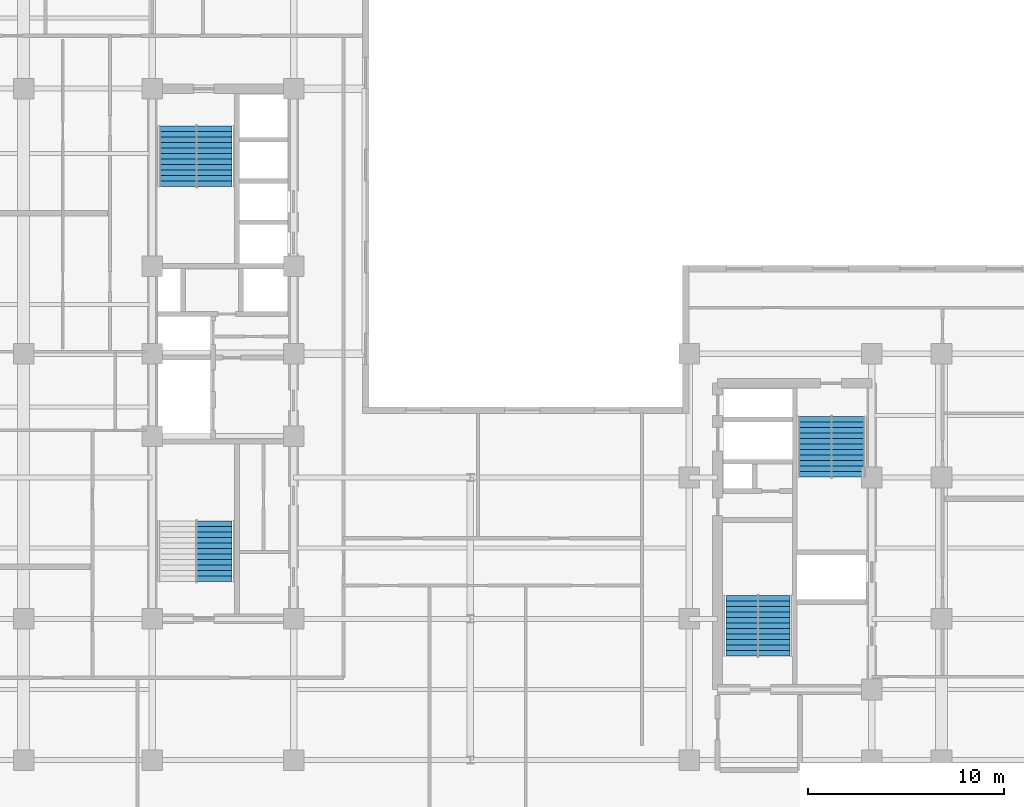
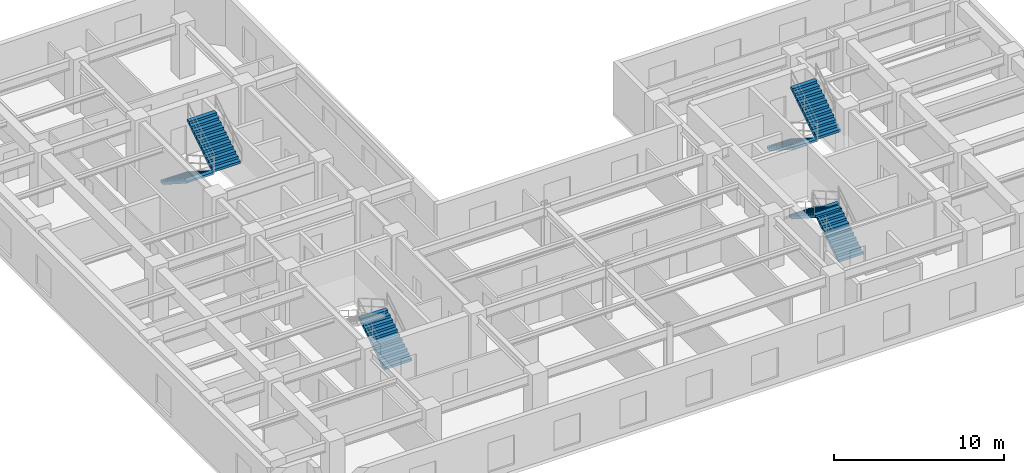
# One storey, part 7 of 10: 7 stair flights, 4 elements without a shape of their own.
"""IFC4 building model written with IfcOpenShell, lengths in metres."""

from ifc_helpers import new_model, entity, si_unit, converted_unit, direction, frame, origin_with_axes, place, context, subcontext, project, spatial, polyline, outline, extrude, material, type_object, element, aggregate, save


model = new_model("IFC4")

# Units and contexts
model_context = context("Model", 3, precision=1e-05, world=origin_with_axes(), true_north=direction((0.0, 1.0)))
body_context = subcontext(model_context, "Body", "Model", "MODEL_VIEW")
ifc_project = project(units=[si_unit("LENGTHUNIT", "METRE"), si_unit("AREAUNIT", "SQUARE_METRE"), si_unit("VOLUMEUNIT", "CUBIC_METRE"), converted_unit("PLANEANGLEUNIT", "DEGREE", entity("IfcPlaneAngleMeasure", 0.017453292519943295), si_unit("PLANEANGLEUNIT", "RADIAN"), dimensions=[0, 0, 0, 0, 0, 0, 0]), si_unit("MASSUNIT", "GRAM", prefix="KILO"), si_unit("THERMODYNAMICTEMPERATUREUNIT", "KELVIN")], contexts=[model_context])

# Site, building, storey
site_placement = place(None, origin_with_axes())
site = spatial("IfcSite", under=ifc_project, at=site_placement, CompositionType="ELEMENT")
building_placement = place(site_placement, origin_with_axes())
building = spatial("IfcBuilding", under=site, at=building_placement, Name="Varnlund Millrace Tower", CompositionType="ELEMENT")
storey_placement = place(building_placement, frame((0.0, 0.0, 148.5), z_axis=(0.0, 0.0, 1.0), x_axis=(1.0, 0.0, 0.0)))
storey = spatial("IfcBuildingStorey", under=building, at=storey_placement, Name="L36", CompositionType="ELEMENT", Elevation=148.5)

# Stair, stair flights
ifc_material_1 = material(Name="Concrete C50/60", Category="concrete")
stair_type_1 = type_object("IfcStairType", Name="Type-Stair-Dogleg-165-390", PredefinedType="HALF_TURN_STAIR", material=ifc_material_1)
stair_1_placement = place(storey_placement, origin_with_axes())
stair_1 = element("IfcStair", 1, at=stair_1_placement, inside=storey, type_object=stair_type_1, Name="Type-Stair-Dogleg-165-390", PredefinedType="HALF_TURN_STAIR")
ifc_material_2 = material(Name="Precast concrete C50/60", Category="concrete")
stair_flight_type_1 = type_object("IfcStairFlightType", Name="Type-Dogleg-Run-165-390", PredefinedType="STRAIGHT", material=ifc_material_2)
stair_flight_1_placement = place(storey_placement, frame((42.225, 8.9, 0.0), z_axis=(1.0, 0.0, 0.0), x_axis=(0.0, 1.0, 0.0)))
stair_flight_1 = element("IfcStairFlight", 2, at=stair_flight_1_placement, type_object=stair_flight_type_1, Name="ST-B1 flight 1", NumberOfRisers=11, NumberOfTreads=11, PredefinedType="STRAIGHT", RiserHeight=0.177273, TreadLength=0.28, context=body_context, shape_type="SweptSolid", body=[
    extrude(outline(polyline([(0.0, 0.0), (0.0, 0.177273), (0.28, 0.177273), (0.28, 0.354545), (0.56, 0.354545), (0.56, 0.531818), (0.84, 0.531818), (0.84, 0.709091), (1.12, 0.709091), (1.12, 0.886364), (1.4, 0.886364), (1.4, 1.063636), (1.68, 1.063636), (1.68, 1.240909), (1.96, 1.240909), (1.96, 1.418182), (2.24, 1.418182), (2.24, 1.595454), (2.52, 1.595454), (2.52, 1.772727), (2.8, 1.772727), (2.8, 1.95), (3.08, 1.95), (3.08, 1.8), (0.28, 0.0), (0.0, 0.0)])), origin_with_axes(), (0.0, 0.0, 1.0), 1.65),
])
stair_flight_2_placement = place(storey_placement, frame((42.275, 11.98, 1.95), z_axis=(-1.0, 0.0, 0.0), x_axis=(0.0, -1.0, 0.0)))
stair_flight_2 = element("IfcStairFlight", 3, at=stair_flight_2_placement, type_object=stair_flight_type_1, Name="ST-B1 flight 2", NumberOfRisers=11, NumberOfTreads=11, PredefinedType="STRAIGHT", RiserHeight=0.177273, TreadLength=0.28, context=body_context, shape_type="SweptSolid", body=[
    extrude(outline(polyline([(0.0, 0.0), (0.0, 0.177273), (0.28, 0.177273), (0.28, 0.354545), (0.56, 0.354545), (0.56, 0.531818), (0.84, 0.531818), (0.84, 0.709091), (1.12, 0.709091), (1.12, 0.886364), (1.4, 0.886364), (1.4, 1.063636), (1.68, 1.063636), (1.68, 1.240909), (1.96, 1.240909), (1.96, 1.418182), (2.24, 1.418182), (2.24, 1.595454), (2.52, 1.595454), (2.52, 1.772727), (2.8, 1.772727), (2.8, 1.95), (3.08, 1.95), (3.08, 1.8), (0.28, 0.0), (0.0, 0.0)])), origin_with_axes(), (0.0, 0.0, 1.0), 1.65),
])
aggregate(stair_1, [stair_flight_1, stair_flight_2])

stair_2_placement = place(storey_placement, origin_with_axes())
stair_2 = element("IfcStair", 4, at=stair_2_placement, inside=storey, type_object=stair_type_1, Name="Type-Stair-Dogleg-165-390", PredefinedType="HALF_TURN_STAIR")
stair_flight_3_placement = place(storey_placement, frame((46.025, 21.1, 0.0), z_axis=(-1.0, 0.0, 0.0), x_axis=(0.0, -1.0, 0.0)))
stair_flight_3 = element("IfcStairFlight", 5, at=stair_flight_3_placement, type_object=stair_flight_type_1, Name="ST-B2 flight 1", NumberOfRisers=11, NumberOfTreads=11, PredefinedType="STRAIGHT", RiserHeight=0.177273, TreadLength=0.28, context=body_context, shape_type="SweptSolid", body=[
    extrude(outline(polyline([(0.0, 0.0), (0.0, 0.177273), (0.28, 0.177273), (0.28, 0.354545), (0.56, 0.354545), (0.56, 0.531818), (0.84, 0.531818), (0.84, 0.709091), (1.12, 0.709091), (1.12, 0.886364), (1.4, 0.886364), (1.4, 1.063636), (1.68, 1.063636), (1.68, 1.240909), (1.96, 1.240909), (1.96, 1.418182), (2.24, 1.418182), (2.24, 1.595454), (2.52, 1.595454), (2.52, 1.772727), (2.8, 1.772727), (2.8, 1.95), (3.08, 1.95), (3.08, 1.8), (0.28, 0.0), (0.0, 0.0)])), origin_with_axes(), (0.0, 0.0, 1.0), 1.65),
])
stair_flight_4_placement = place(storey_placement, frame((45.975, 18.02, 1.95), z_axis=(1.0, 0.0, 0.0), x_axis=(0.0, 1.0, 0.0)))
stair_flight_4 = element("IfcStairFlight", 6, at=stair_flight_4_placement, type_object=stair_flight_type_1, Name="ST-B2 flight 2", NumberOfRisers=11, NumberOfTreads=11, PredefinedType="STRAIGHT", RiserHeight=0.177273, TreadLength=0.28, context=body_context, shape_type="SweptSolid", body=[
    extrude(outline(polyline([(0.0, 0.0), (0.0, 0.177273), (0.28, 0.177273), (0.28, 0.354545), (0.56, 0.354545), (0.56, 0.531818), (0.84, 0.531818), (0.84, 0.709091), (1.12, 0.709091), (1.12, 0.886364), (1.4, 0.886364), (1.4, 1.063636), (1.68, 1.063636), (1.68, 1.240909), (1.96, 1.240909), (1.96, 1.418182), (2.24, 1.418182), (2.24, 1.595454), (2.52, 1.595454), (2.52, 1.772727), (2.8, 1.772727), (2.8, 1.95), (3.08, 1.95), (3.08, 1.8), (0.28, 0.0), (0.0, 0.0)])), origin_with_axes(), (0.0, 0.0, 1.0), 1.65),
])
aggregate(stair_2, [stair_flight_3, stair_flight_4])

# Stair, stair flight
stair_type_2 = type_object("IfcStairType", Name="Type-Stair-Dogleg-185-390", PredefinedType="HALF_TURN_STAIR", material=ifc_material_1)
stair_3_placement = place(storey_placement, origin_with_axes())
stair_3 = element("IfcStair", 7, at=stair_3_placement, inside=storey, type_object=stair_type_2, Name="Type-Stair-Dogleg-185-390", PredefinedType="HALF_TURN_STAIR")
stair_flight_type_2 = type_object("IfcStairFlightType", Name="Type-Dogleg-Run-185-390", PredefinedType="STRAIGHT", material=ifc_material_2)
stair_flight_5_placement = place(storey_placement, frame((13.625, 12.7, 0.0), z_axis=(1.0, 0.0, 0.0), x_axis=(0.0, 1.0, 0.0)))
stair_flight_5 = element("IfcStairFlight", 8, at=stair_flight_5_placement, type_object=stair_flight_type_2, Name="ST-A1 flight 1", NumberOfRisers=11, NumberOfTreads=11, PredefinedType="STRAIGHT", RiserHeight=0.177273, TreadLength=0.28, context=body_context, shape_type="SweptSolid", body=[
    extrude(outline(polyline([(0.0, 0.0), (0.0, 0.177273), (0.28, 0.177273), (0.28, 0.354545), (0.56, 0.354545), (0.56, 0.531818), (0.84, 0.531818), (0.84, 0.709091), (1.12, 0.709091), (1.12, 0.886364), (1.4, 0.886364), (1.4, 1.063636), (1.68, 1.063636), (1.68, 1.240909), (1.96, 1.240909), (1.96, 1.418182), (2.24, 1.418182), (2.24, 1.595454), (2.52, 1.595454), (2.52, 1.772727), (2.8, 1.772727), (2.8, 1.95), (3.08, 1.95), (3.08, 1.8), (0.28, 0.0), (0.0, 0.0)])), origin_with_axes(), (0.0, 0.0, 1.0), 1.85),
])
aggregate(stair_3, [stair_flight_5])

# Stair, stair flights
stair_4_placement = place(storey_placement, origin_with_axes())
stair_4 = element("IfcStair", 9, at=stair_4_placement, inside=storey, type_object=stair_type_2, Name="Type-Stair-Dogleg-185-390", PredefinedType="HALF_TURN_STAIR")
stair_flight_6_placement = place(storey_placement, frame((13.675, 35.9, 0.0), z_axis=(-1.0, 0.0, 0.0), x_axis=(0.0, -1.0, 0.0)))
stair_flight_6 = element("IfcStairFlight", 10, at=stair_flight_6_placement, type_object=stair_flight_type_2, Name="ST-A2 flight 1", NumberOfRisers=11, NumberOfTreads=11, PredefinedType="STRAIGHT", RiserHeight=0.177273, TreadLength=0.28, context=body_context, shape_type="SweptSolid", body=[
    extrude(outline(polyline([(0.0, 0.0), (0.0, 0.177273), (0.28, 0.177273), (0.28, 0.354545), (0.56, 0.354545), (0.56, 0.531818), (0.84, 0.531818), (0.84, 0.709091), (1.12, 0.709091), (1.12, 0.886364), (1.4, 0.886364), (1.4, 1.063636), (1.68, 1.063636), (1.68, 1.240909), (1.96, 1.240909), (1.96, 1.418182), (2.24, 1.418182), (2.24, 1.595454), (2.52, 1.595454), (2.52, 1.772727), (2.8, 1.772727), (2.8, 1.95), (3.08, 1.95), (3.08, 1.8), (0.28, 0.0), (0.0, 0.0)])), origin_with_axes(), (0.0, 0.0, 1.0), 1.85),
])
stair_flight_7_placement = place(storey_placement, frame((13.625, 32.82, 1.95), z_axis=(1.0, 0.0, 0.0), x_axis=(0.0, 1.0, 0.0)))
stair_flight_7 = element("IfcStairFlight", 11, at=stair_flight_7_placement, type_object=stair_flight_type_2, Name="ST-A2 flight 2", NumberOfRisers=11, NumberOfTreads=11, PredefinedType="STRAIGHT", RiserHeight=0.177273, TreadLength=0.28, context=body_context, shape_type="SweptSolid", body=[
    extrude(outline(polyline([(0.0, 0.0), (0.0, 0.177273), (0.28, 0.177273), (0.28, 0.354545), (0.56, 0.354545), (0.56, 0.531818), (0.84, 0.531818), (0.84, 0.709091), (1.12, 0.709091), (1.12, 0.886364), (1.4, 0.886364), (1.4, 1.063636), (1.68, 1.063636), (1.68, 1.240909), (1.96, 1.240909), (1.96, 1.418182), (2.24, 1.418182), (2.24, 1.595454), (2.52, 1.595454), (2.52, 1.772727), (2.8, 1.772727), (2.8, 1.95), (3.08, 1.95), (3.08, 1.8), (0.28, 0.0), (0.0, 0.0)])), origin_with_axes(), (0.0, 0.0, 1.0), 1.85),
])
aggregate(stair_4, [stair_flight_6, stair_flight_7])

save(model, "model.ifc")
